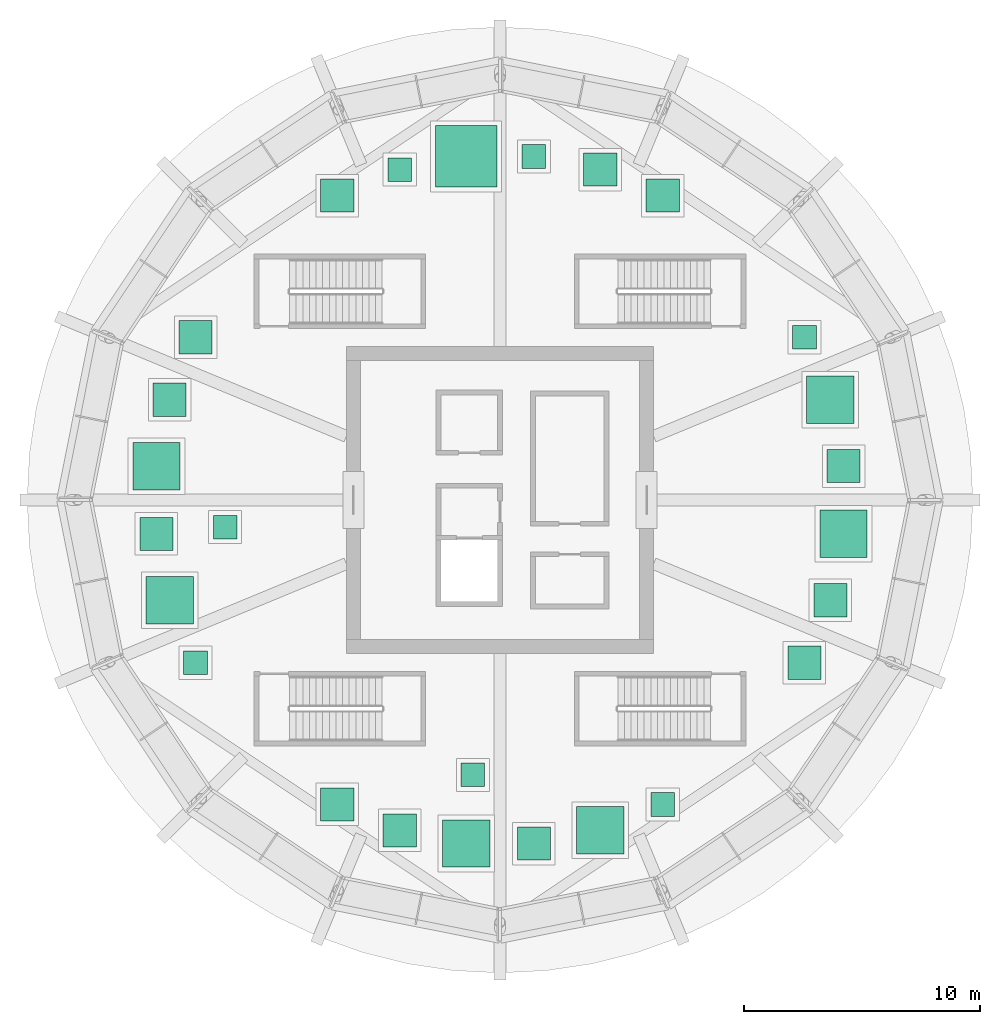
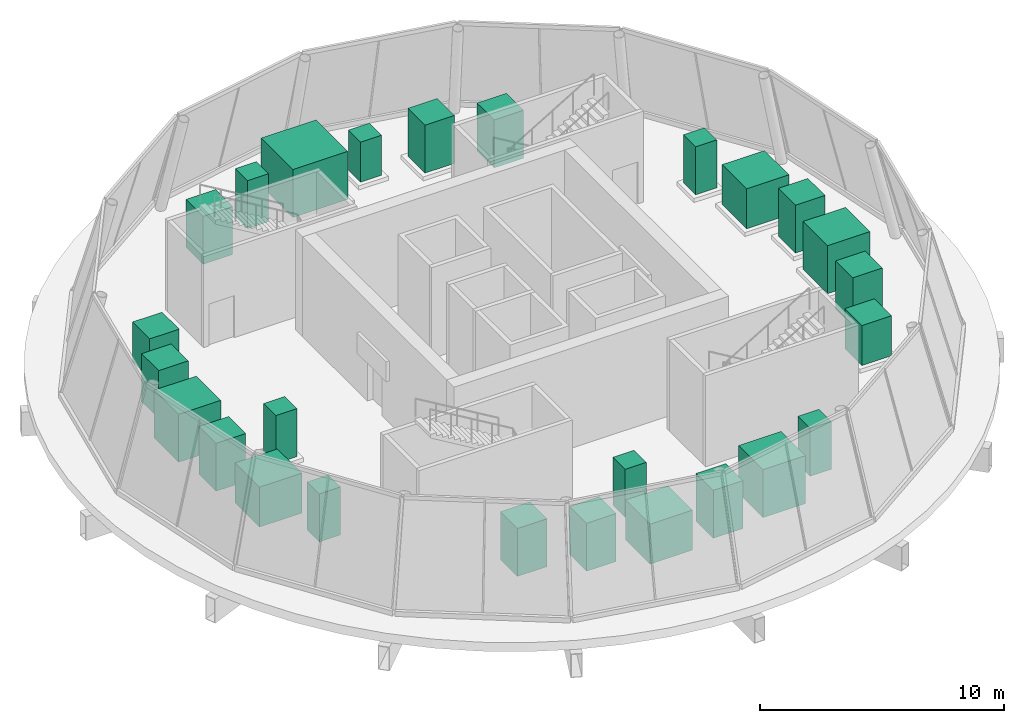
# One storey, part 7 of 7: 14 chillers, 6 tanks, 6 unitary equipment elements.
"""IFC4 building model written with IfcOpenShell, lengths in metres."""

from ifc_helpers import new_model, si_unit, direction, frame, origin, origin_2d, place, context, subcontext, project, spatial, rectangle, extrude, element, save


model = new_model("IFC4")

# Units and contexts
model_context = context("Model", 3, precision=1e-05, world=origin(), true_north=direction((0.0, 1.0)))
body_context = subcontext(model_context, "Body", "Model", "MODEL_VIEW")
ifc_project = project(units=[si_unit("LENGTHUNIT", "METRE"), si_unit("AREAUNIT", "SQUARE_METRE"), si_unit("VOLUMEUNIT", "CUBIC_METRE"), si_unit("PLANEANGLEUNIT", "RADIAN"), si_unit("MASSUNIT", "GRAM", prefix="KILO")], contexts=[model_context])

# Site, building, storey
site_placement = place(None, origin())
site = spatial("IfcSite", under=ifc_project, at=site_placement, CompositionType="ELEMENT")
building_placement = place(site_placement, origin())
building = spatial("IfcBuilding", under=site, at=building_placement, Name="Corvane Civic Tower", CompositionType="ELEMENT")
storey_placement = place(building_placement, frame((0.0, 0.0, 387.5)))
storey = spatial("IfcBuildingStorey", under=building, at=storey_placement, Name="L92", CompositionType="ELEMENT", Elevation=387.5)

# Chillers
chiller_1_placement = place(storey_placement, frame((-1.430908203125, 14.530029296875, 0.199951171875), z_axis=(0.0, 0.0, 1.0), x_axis=(1.0, 0.0, 0.0)))
element("IfcChiller", 1, at=chiller_1_placement, inside=storey, Name="Chiller L92-01", PredefinedType="WATERCOOLED", context=body_context, shape_type="SweptSolid", body=[
    extrude(rectangle(XDim=2.60009765625, YDim=2.60009765625, at=origin_2d()), origin(), (0.0, 0.0, 1.0), 2.39990234375),
])
chiller_2_placement = place(storey_placement, frame((-4.238037109375, 13.970947265625, 0.199951171875), z_axis=(0.0, 0.0, 1.0), x_axis=(1.0, 0.0, 0.0)))
element("IfcChiller", 2, at=chiller_2_placement, inside=storey, Name="Chiller L92-02", PredefinedType="WATERCOOLED", context=body_context, shape_type="SweptSolid", body=[
    extrude(rectangle(XDim=1.0, YDim=1.0, at=origin_2d()), origin(), (0.0, 0.0, 1.0), 2.39990234375),
])

# Unitary equipment
unitary_equipment_1_placement = place(storey_placement, frame((-6.882080078125, 12.8759765625, 0.199951171875), z_axis=(0.0, 0.0, 1.0), x_axis=(1.0, 0.0, 0.0)))
element("IfcUnitaryEquipment", 3, at=unitary_equipment_1_placement, inside=storey, Name="Air handler L92-03", PredefinedType="AIRHANDLER", context=body_context, shape_type="SweptSolid", body=[
    extrude(rectangle(XDim=1.39990234375, YDim=1.39990234375, at=origin_2d()), origin(), (0.0, 0.0, 1.0), 2.39990234375),
])

# Tank
tank_1_placement = place(storey_placement, frame((-12.8759765625, 6.882080078125, 0.199951171875), z_axis=(0.0, 0.0, 1.0), x_axis=(1.0, 0.0, 0.0)))
element("IfcTank", 4, at=tank_1_placement, inside=storey, Name="Water tank L92-04", PredefinedType="STORAGE", context=body_context, shape_type="SweptSolid", body=[
    extrude(rectangle(XDim=1.39990234375, YDim=1.39990234375, at=origin_2d()), origin(), (0.0, 0.0, 1.0), 2.0),
])

# Chillers
chiller_3_placement = place(storey_placement, frame((-13.970947265625, 4.238037109375, 0.199951171875), z_axis=(0.0, 0.0, 1.0), x_axis=(1.0, 0.0, 0.0)))
element("IfcChiller", 5, at=chiller_3_placement, inside=storey, Name="Chiller L92-05", PredefinedType="WATERCOOLED", context=body_context, shape_type="SweptSolid", body=[
    extrude(rectangle(XDim=1.39990234375, YDim=1.39990234375, at=origin_2d()), origin(), (0.0, 0.0, 1.0), 2.39990234375),
])
chiller_4_placement = place(storey_placement, frame((-14.530029296875, 1.430908203125, 0.199951171875), z_axis=(0.0, 0.0, 1.0), x_axis=(1.0, 0.0, 0.0)))
element("IfcChiller", 6, at=chiller_4_placement, inside=storey, Name="Chiller L92-06", PredefinedType="WATERCOOLED", context=body_context, shape_type="SweptSolid", body=[
    extrude(rectangle(XDim=2.0, YDim=2.0, at=origin_2d()), origin(), (0.0, 0.0, 1.0), 2.39990234375),
])

# Unitary equipment
unitary_equipment_2_placement = place(storey_placement, frame((-14.530029296875, -1.430908203125, 0.199951171875), z_axis=(0.0, 0.0, 1.0), x_axis=(1.0, 0.0, 0.0)))
element("IfcUnitaryEquipment", 7, at=unitary_equipment_2_placement, inside=storey, Name="Air handler L92-07", PredefinedType="AIRHANDLER", context=body_context, shape_type="SweptSolid", body=[
    extrude(rectangle(XDim=1.39990234375, YDim=1.39990234375, at=origin_2d()), origin(), (0.0, 0.0, 1.0), 2.39990234375),
])

# Tank
tank_2_placement = place(storey_placement, frame((-13.970947265625, -4.238037109375, 0.199951171875), z_axis=(0.0, 0.0, 1.0), x_axis=(1.0, 0.0, 0.0)))
element("IfcTank", 8, at=tank_2_placement, inside=storey, Name="Water tank L92-08", PredefinedType="STORAGE", context=body_context, shape_type="SweptSolid", body=[
    extrude(rectangle(XDim=2.0, YDim=2.0, at=origin_2d()), origin(), (0.0, 0.0, 1.0), 2.0),
])

# Chillers
chiller_5_placement = place(storey_placement, frame((-12.8759765625, -6.882080078125, 0.199951171875), z_axis=(0.0, 0.0, 1.0), x_axis=(1.0, 0.0, 0.0)))
element("IfcChiller", 9, at=chiller_5_placement, inside=storey, Name="Chiller L92-09", PredefinedType="WATERCOOLED", context=body_context, shape_type="SweptSolid", body=[
    extrude(rectangle(XDim=1.0, YDim=1.0, at=origin_2d()), origin(), (0.0, 0.0, 1.0), 2.39990234375),
])
chiller_6_placement = place(storey_placement, frame((-6.882080078125, -12.8759765625, 0.199951171875), z_axis=(0.0, 0.0, 1.0), x_axis=(1.0, 0.0, 0.0)))
element("IfcChiller", 10, at=chiller_6_placement, inside=storey, Name="Chiller L92-10", PredefinedType="WATERCOOLED", context=body_context, shape_type="SweptSolid", body=[
    extrude(rectangle(XDim=1.39990234375, YDim=1.39990234375, at=origin_2d()), origin(), (0.0, 0.0, 1.0), 2.39990234375),
])

# Unitary equipment
unitary_equipment_3_placement = place(storey_placement, frame((-4.238037109375, -13.970947265625, 0.199951171875), z_axis=(0.0, 0.0, 1.0), x_axis=(1.0, 0.0, 0.0)))
element("IfcUnitaryEquipment", 11, at=unitary_equipment_3_placement, inside=storey, Name="Air handler L92-11", PredefinedType="AIRHANDLER", context=body_context, shape_type="SweptSolid", body=[
    extrude(rectangle(XDim=1.39990234375, YDim=1.39990234375, at=origin_2d()), origin(), (0.0, 0.0, 1.0), 2.39990234375),
])

# Tank
tank_3_placement = place(storey_placement, frame((-1.430908203125, -14.530029296875, 0.199951171875), z_axis=(0.0, 0.0, 1.0), x_axis=(1.0, 0.0, 0.0)))
element("IfcTank", 12, at=tank_3_placement, inside=storey, Name="Water tank L92-12", PredefinedType="STORAGE", context=body_context, shape_type="SweptSolid", body=[
    extrude(rectangle(XDim=2.0, YDim=2.0, at=origin_2d()), origin(), (0.0, 0.0, 1.0), 2.0),
])

# Chillers
chiller_7_placement = place(storey_placement, frame((1.430908203125, -14.530029296875, 0.199951171875), z_axis=(0.0, 0.0, 1.0), x_axis=(1.0, 0.0, 0.0)))
element("IfcChiller", 13, at=chiller_7_placement, inside=storey, Name="Chiller L92-13", PredefinedType="WATERCOOLED", context=body_context, shape_type="SweptSolid", body=[
    extrude(rectangle(XDim=1.39990234375, YDim=1.39990234375, at=origin_2d()), origin(), (0.0, 0.0, 1.0), 2.39990234375),
])
chiller_8_placement = place(storey_placement, frame((4.238037109375, -13.970947265625, 0.199951171875), z_axis=(0.0, 0.0, 1.0), x_axis=(1.0, 0.0, 0.0)))
element("IfcChiller", 14, at=chiller_8_placement, inside=storey, Name="Chiller L92-14", PredefinedType="WATERCOOLED", context=body_context, shape_type="SweptSolid", body=[
    extrude(rectangle(XDim=2.0, YDim=2.0, at=origin_2d()), origin(), (0.0, 0.0, 1.0), 2.39990234375),
])

# Unitary equipment
unitary_equipment_4_placement = place(storey_placement, frame((6.882080078125, -12.8759765625, 0.199951171875), z_axis=(0.0, 0.0, 1.0), x_axis=(1.0, 0.0, 0.0)))
element("IfcUnitaryEquipment", 15, at=unitary_equipment_4_placement, inside=storey, Name="Air handler L92-15", PredefinedType="AIRHANDLER", context=body_context, shape_type="SweptSolid", body=[
    extrude(rectangle(XDim=1.0, YDim=1.0, at=origin_2d()), origin(), (0.0, 0.0, 1.0), 2.39990234375),
])

# Tank
tank_4_placement = place(storey_placement, frame((12.8759765625, -6.882080078125, 0.199951171875), z_axis=(0.0, 0.0, 1.0), x_axis=(1.0, 0.0, 0.0)))
element("IfcTank", 16, at=tank_4_placement, inside=storey, Name="Water tank L92-16", PredefinedType="STORAGE", context=body_context, shape_type="SweptSolid", body=[
    extrude(rectangle(XDim=1.39990234375, YDim=1.39990234375, at=origin_2d()), origin(), (0.0, 0.0, 1.0), 2.0),
])

# Chillers
chiller_9_placement = place(storey_placement, frame((13.970947265625, -4.238037109375, 0.199951171875), z_axis=(0.0, 0.0, 1.0), x_axis=(1.0, 0.0, 0.0)))
element("IfcChiller", 17, at=chiller_9_placement, inside=storey, Name="Chiller L92-17", PredefinedType="WATERCOOLED", context=body_context, shape_type="SweptSolid", body=[
    extrude(rectangle(XDim=1.39990234375, YDim=1.39990234375, at=origin_2d()), origin(), (0.0, 0.0, 1.0), 2.39990234375),
])
chiller_10_placement = place(storey_placement, frame((14.530029296875, -1.430908203125, 0.199951171875), z_axis=(0.0, 0.0, 1.0), x_axis=(1.0, 0.0, 0.0)))
element("IfcChiller", 18, at=chiller_10_placement, inside=storey, Name="Chiller L92-18", PredefinedType="WATERCOOLED", context=body_context, shape_type="SweptSolid", body=[
    extrude(rectangle(XDim=2.0, YDim=2.0, at=origin_2d()), origin(), (0.0, 0.0, 1.0), 2.39990234375),
])

# Unitary equipment
unitary_equipment_5_placement = place(storey_placement, frame((14.530029296875, 1.430908203125, 0.199951171875), z_axis=(0.0, 0.0, 1.0), x_axis=(1.0, 0.0, 0.0)))
element("IfcUnitaryEquipment", 19, at=unitary_equipment_5_placement, inside=storey, Name="Air handler L92-19", PredefinedType="AIRHANDLER", context=body_context, shape_type="SweptSolid", body=[
    extrude(rectangle(XDim=1.39990234375, YDim=1.39990234375, at=origin_2d()), origin(), (0.0, 0.0, 1.0), 2.39990234375),
])

# Tank
tank_5_placement = place(storey_placement, frame((13.970947265625, 4.238037109375, 0.199951171875), z_axis=(0.0, 0.0, 1.0), x_axis=(1.0, 0.0, 0.0)))
element("IfcTank", 20, at=tank_5_placement, inside=storey, Name="Water tank L92-20", PredefinedType="STORAGE", context=body_context, shape_type="SweptSolid", body=[
    extrude(rectangle(XDim=2.0, YDim=2.0, at=origin_2d()), origin(), (0.0, 0.0, 1.0), 2.0),
])

# Chillers
chiller_11_placement = place(storey_placement, frame((12.8759765625, 6.882080078125, 0.199951171875), z_axis=(0.0, 0.0, 1.0), x_axis=(1.0, 0.0, 0.0)))
element("IfcChiller", 21, at=chiller_11_placement, inside=storey, Name="Chiller L92-21", PredefinedType="WATERCOOLED", context=body_context, shape_type="SweptSolid", body=[
    extrude(rectangle(XDim=1.0, YDim=1.0, at=origin_2d()), origin(), (0.0, 0.0, 1.0), 2.39990234375),
])
chiller_12_placement = place(storey_placement, frame((6.882080078125, 12.8759765625, 0.199951171875), z_axis=(0.0, 0.0, 1.0), x_axis=(1.0, 0.0, 0.0)))
element("IfcChiller", 22, at=chiller_12_placement, inside=storey, Name="Chiller L92-22", PredefinedType="WATERCOOLED", context=body_context, shape_type="SweptSolid", body=[
    extrude(rectangle(XDim=1.39990234375, YDim=1.39990234375, at=origin_2d()), origin(), (0.0, 0.0, 1.0), 2.39990234375),
])

# Unitary equipment
unitary_equipment_6_placement = place(storey_placement, frame((4.238037109375, 13.970947265625, 0.199951171875), z_axis=(0.0, 0.0, 1.0), x_axis=(1.0, 0.0, 0.0)))
element("IfcUnitaryEquipment", 23, at=unitary_equipment_6_placement, inside=storey, Name="Air handler L92-23", PredefinedType="AIRHANDLER", context=body_context, shape_type="SweptSolid", body=[
    extrude(rectangle(XDim=1.39990234375, YDim=1.39990234375, at=origin_2d()), origin(), (0.0, 0.0, 1.0), 2.39990234375),
])

# Tank
tank_6_placement = place(storey_placement, frame((1.430908203125, 14.530029296875, 0.199951171875), z_axis=(0.0, 0.0, 1.0), x_axis=(1.0, 0.0, 0.0)))
element("IfcTank", 24, at=tank_6_placement, inside=storey, Name="Water tank L92-24", PredefinedType="STORAGE", context=body_context, shape_type="SweptSolid", body=[
    extrude(rectangle(XDim=1.0, YDim=1.0, at=origin_2d()), origin(), (0.0, 0.0, 1.0), 2.0),
])

# Chillers
for number, where, z_axis, x_axis, name in (
    (25, (-11.6240234375, -1.14501953125, 0.199951171875), (0.0, 0.0, 1.0), (1.0, 0.0, 0.0), "Chiller L92-25"),
    (26, (-1.14501953125, -11.6240234375, 0.199951171875), (0.0, 0.0, 1.0), (1.0, 0.0, 0.0), "Chiller L92-26"),
):
    element("IfcChiller", number, at=place(storey_placement, frame(where, z_axis=z_axis, x_axis=x_axis)), inside=storey, Name=name, PredefinedType="WATERCOOLED", context=body_context, shape_type="SweptSolid", body=[
        extrude(rectangle(XDim=1.0, YDim=1.0, at=origin_2d()), origin(), (0.0, 0.0, 1.0), 2.39990234375),
    ])

save(model, "model.ifc")
